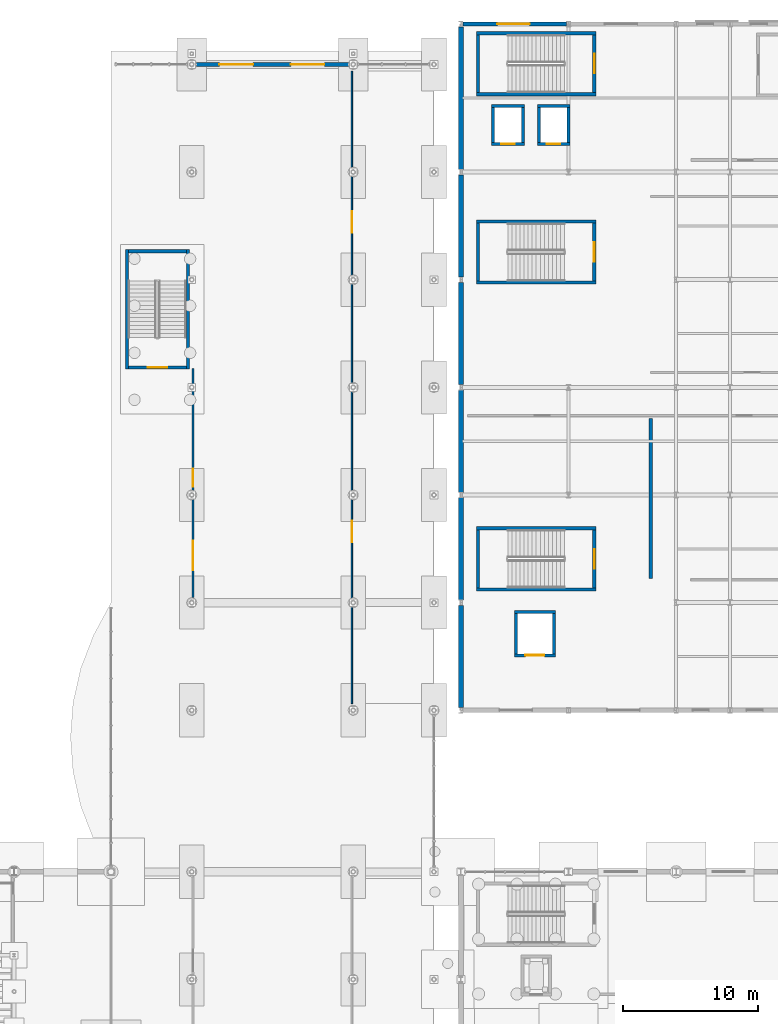
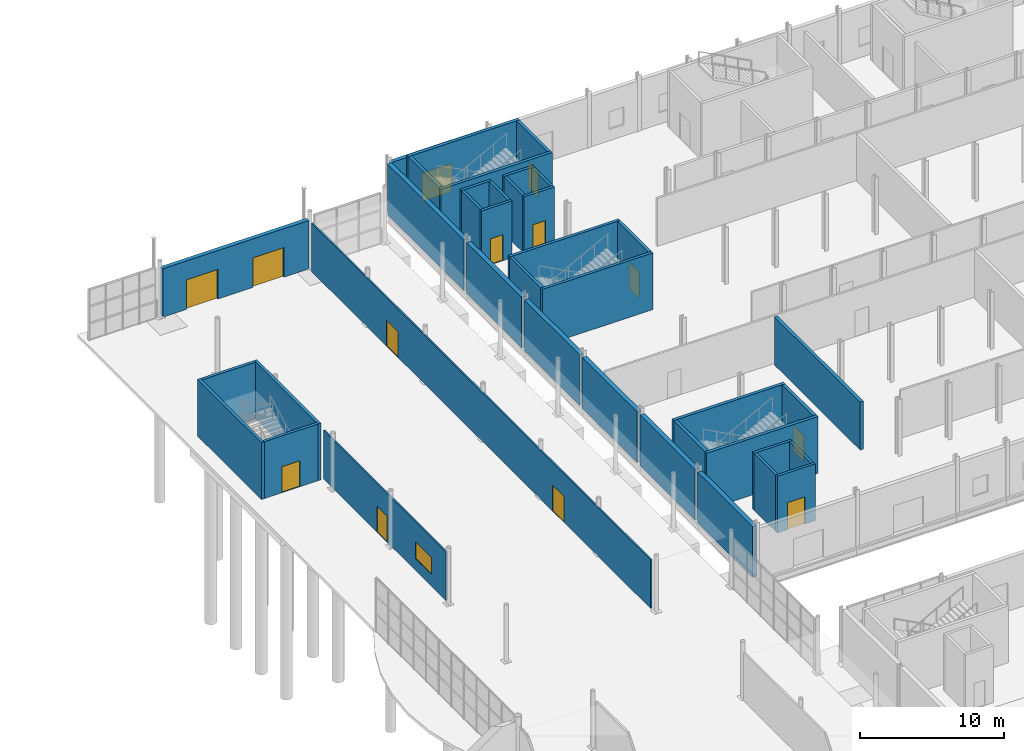
# One storey, part 79 of 101: 39 walls, 13 doors, 1 window, 14 openings.
"""IFC4 building model written with IfcOpenShell, lengths in metres."""

from ifc_helpers import new_model, si_unit, derived_unit, direction, frame, frame_2d, origin, place, context, subcontext, project, spatial, rectangle, extrude, material, layer, layer_set, type_object, element, fill, save


model = new_model("IFC4")

# Units and contexts
model_context = context("Model", 3, precision=1e-05, world=origin(), true_north=direction((0.0, 1.0)))
body_context = subcontext(model_context, "Body", "Model", "MODEL_VIEW")
ifc_project = project(units=[si_unit("LENGTHUNIT", "METRE"), si_unit("AREAUNIT", "SQUARE_METRE"), si_unit("VOLUMEUNIT", "CUBIC_METRE"), si_unit("PLANEANGLEUNIT", "RADIAN"), si_unit("MASSUNIT", "GRAM", prefix="KILO"), derived_unit("THERMALTRANSMITTANCEUNIT", [(si_unit("POWERUNIT", "WATT"), 1), (si_unit("LENGTHUNIT", "METRE"), -2), (si_unit("THERMODYNAMICTEMPERATUREUNIT", "KELVIN"), -1)])], contexts=[model_context])

# Site, building, storey
site_placement = place(None, origin())
site = spatial("IfcSite", under=ifc_project, at=site_placement, CompositionType="ELEMENT")
building_placement = place(site_placement, origin())
building = spatial("IfcBuilding", under=site, at=building_placement, Name="Keldorne Ridge Multi-Sports Centre", CompositionType="ELEMENT")
storey_placement = place(building_placement, origin())
storey = spatial("IfcBuildingStorey", under=building, at=storey_placement, Name="L00", CompositionType="ELEMENT", Elevation=0.0)

# Wall
ifc_material_1 = material(Name="Moisture-resistant twin plumbing wall")
ifc_layer_1 = layer(ifc_material_1, 0.260009765625)
ifc_layer_set_1 = layer_set([ifc_layer_1])
wall_type_1 = type_object("IfcWallType", Name="WAL-PL-02", PredefinedType="PLUMBINGWALL", material=ifc_layer_set_1)
wall_1_placement = place(storey_placement, frame((118.10009765625, 75.800048828125, 0.0), z_axis=(0.0, 0.0, 1.0), x_axis=(0.0, 1.0, 0.0)))
element("IfcWall", 1, at=wall_1_placement, inside=storey, type_object=wall_type_1, Name="Team changing plumbing wall IW-L00-032", PredefinedType="PLUMBINGWALL", context=body_context, shape_type="SweptSolid", body=[
    extrude(rectangle(XDim=11.89990234375, YDim=0.260009765625, at=frame_2d((5.949951171875, 0.0))), origin(), (0.0, 0.0, 1.0), 4.050048828125),
])

# Wall, openings, doors
ifc_material_2 = material(Name="Precast concrete C40/50", Category="concrete")
ifc_layer_2 = layer(ifc_material_2, 0.320068359375)
ifc_layer_set_2 = layer_set([ifc_layer_2], Name="Precast concrete C40/50")
wall_type_2 = type_object("IfcWallType", Name="WAL-PR-W1", PredefinedType="STANDARD", material=ifc_layer_set_2)
wall_2_placement = place(storey_placement, frame((95.836181640625, 114.0, 0.0), z_axis=(0.0, 0.0, 1.0), x_axis=(-1.0, 0.0, 0.0)))
wall_2 = element("IfcWall", 2, at=wall_2_placement, inside=storey, type_object=wall_type_2, Name="Public Passage N entrance portal", PredefinedType="STANDARD", context=body_context, shape_type="SweptSolid", body=[
    extrude(rectangle(XDim=11.67236328125, YDim=0.320068359375, at=frame_2d((5.836181640625, 0.0))), origin(), (0.0, 0.0, 1.0), 4.10498046875),
])
opening_1_placement = place(wall_2_placement, frame((1.97607421875, 0.0, 0.0)))
opening_1 = element("IfcOpeningElement", 3, at=opening_1_placement, cuts=wall_2, Name="Opening ED-02", PredefinedType="OPENING", context=body_context, shape_type="SweptSolid", body=[
    extrude(rectangle(XDim=2.5, YDim=2.5, at=frame_2d((1.25, 1.25))), frame((0.0, 0.169921875, 0.0), z_axis=(0.0, -1.0, 0.0), x_axis=(1.0, 0.0, 0.0)), (0.0, 0.0, 1.0), 0.340087890625),
])
opening_2_placement = place(wall_2_placement, frame((7.276123046875, 0.0, 0.0)))
opening_2 = element("IfcOpeningElement", 4, at=opening_2_placement, cuts=wall_2, Name="Opening ED-02", PredefinedType="OPENING", context=body_context, shape_type="SweptSolid", body=[
    extrude(rectangle(XDim=2.5, YDim=2.5, at=frame_2d((1.25, 1.25))), frame((0.0, 0.169921875, 0.0), z_axis=(0.0, -1.0, 0.0), x_axis=(1.0, 0.0, 0.0)), (0.0, 0.0, 1.0), 0.340087890625),
])
ifc_material_3 = material(Name="Galvanized steel", Category="steel")
door_type_1 = type_object("IfcDoorType", Name="DR-ED-02", OperationType="NOTDEFINED", PredefinedType="DOOR", material=ifc_material_3)
door_1_placement = place(opening_1_placement, origin())
door_1 = element("IfcDoor", 5, at=door_1_placement, inside=storey, type_object=door_type_1, Name="Public Passage N portal west double entrance", OperationType="DOUBLE_DOOR_SINGLE_SWING", OverallHeight=2.5, OverallWidth=2.5, PredefinedType="DOOR", context=body_context, shape_type="SweptSolid", body=[
    extrude(rectangle(XDim=2.5, YDim=2.5, at=frame_2d((1.25, 1.25))), frame((0.0, 0.02490234375, 0.0), z_axis=(0.0, -1.0, 0.0), x_axis=(1.0, 0.0, 0.0)), (0.0, 0.0, 1.0), 0.050048828125),
])
fill(opening_1, door_1)
door_2_placement = place(opening_2_placement, origin())
door_2 = element("IfcDoor", 6, at=door_2_placement, inside=storey, type_object=door_type_1, Name="Public Passage N portal east double entrance", OperationType="DOUBLE_DOOR_SINGLE_SWING", OverallHeight=2.5, OverallWidth=2.5, PredefinedType="DOOR", context=body_context, shape_type="SweptSolid", body=[
    extrude(rectangle(XDim=2.5, YDim=2.5, at=frame_2d((1.25, 1.25))), frame((0.0, 0.02490234375, 0.0), z_axis=(0.0, -1.0, 0.0), x_axis=(1.0, 0.0, 0.0)), (0.0, 0.0, 1.0), 0.050048828125),
])
fill(opening_2, door_2)

# Wall, opening, door
wall_3_placement = place(storey_placement, frame((111.847900390625, 117.0, 0.0), z_axis=(0.0, 0.0, 1.0), x_axis=(-1.0, 0.0, 0.0)))
wall_3 = element("IfcWall", 7, at=wall_3_placement, inside=storey, type_object=wall_type_2, Name="East Wing L00 north facade 1", PredefinedType="STANDARD", context=body_context, shape_type="SweptSolid", body=[
    extrude(rectangle(XDim=7.69580078125, YDim=0.320068359375, at=frame_2d((3.847900390625, 0.0))), origin(), (0.0, 0.0, 1.0), 4.2548828125),
])
opening_3_placement = place(wall_3_placement, frame((2.738037109375, 0.0, 0.0)))
opening_3 = element("IfcOpeningElement", 8, at=opening_3_placement, cuts=wall_3, Name="Opening ED-01", PredefinedType="OPENING", context=body_context, shape_type="SweptSolid", body=[
    extrude(rectangle(XDim=2.39990234375, YDim=2.39990234375, at=frame_2d((1.199951171875, 1.199951171875))), frame((0.0, 0.169921875, 0.0), z_axis=(0.0, -1.0, 0.0), x_axis=(1.0, 0.0, 0.0)), (0.0, 0.0, 1.0), 0.340087890625),
])
ifc_material_4 = material(Name="Anodized aluminium", Category="aluminium")
door_type_2 = type_object("IfcDoorType", Name="DR-ED-01", OperationType="NOTDEFINED", PredefinedType="DOOR", material=ifc_material_4)
door_3_placement = place(opening_3_placement, origin())
door_3 = element("IfcDoor", 9, at=door_3_placement, inside=storey, type_object=door_type_2, Name="East Wing north exit door 1", OperationType="DOUBLE_DOOR_SINGLE_SWING", OverallHeight=2.39990234375, OverallWidth=2.39990234375, PredefinedType="DOOR", context=body_context, shape_type="SweptSolid", body=[
    extrude(rectangle(XDim=2.39990234375, YDim=2.39990234375, at=frame_2d((1.199951171875, 1.199951171875))), frame((0.0, 0.02490234375, 0.0), z_axis=(0.0, -1.0, 0.0), x_axis=(1.0, 0.0, 0.0)), (0.0, 0.0, 1.0), 0.050048828125),
])
fill(opening_3, door_3)

# Walls
ifc_layer_3 = layer(ifc_material_2, 0.360107421875)
ifc_layer_set_3 = layer_set([ifc_layer_3], Name="Precast concrete C40/50")
wall_type_3 = type_object("IfcWallType", Name="WAL-PR-W2", PredefinedType="STANDARD", material=ifc_layer_set_3)
for number, where, z_axis, x_axis, name in (
    (10, (104.0, 73.798095703125, 0.0), (0.0, 0.0, 1.0), (0.0, -1.0, 0.0), "East Wing movement-joint wall L00.1"),
    (11, (104.0, 81.798095703125, 0.0), (0.0, 0.0, 1.0), (0.0, -1.0, 0.0), "East Wing movement-joint wall L00.2"),
    (12, (104.0, 89.798095703125, 0.0), (0.0, 0.0, 1.0), (0.0, -1.0, 0.0), "East Wing movement-joint wall L00.3"),
    (13, (104.0, 97.798095703125, 0.0), (0.0, 0.0, 1.0), (0.0, -1.0, 0.0), "East Wing movement-joint wall L00.4"),
    (14, (104.0, 105.798095703125, 0.0), (0.0, 0.0, 1.0), (0.0, -1.0, 0.0), "East Wing movement-joint wall L00.5"),
):
    element("IfcWall", number, at=place(storey_placement, frame(where, z_axis=z_axis, x_axis=x_axis)), inside=storey, type_object=wall_type_3, Name=name, PredefinedType="STANDARD", context=body_context, shape_type="SweptSolid", body=[
        extrude(rectangle(XDim=7.59619140625, YDim=0.360107421875, at=frame_2d((3.798095703125, 0.0))), origin(), (0.0, 0.0, 1.0), 4.300048828125),
    ])
wall_4_placement = place(storey_placement, frame((104.0, 116.798095703125, 0.0), z_axis=(0.0, 0.0, 1.0), x_axis=(0.0, -1.0, 0.0)))
element("IfcWall", 15, at=wall_4_placement, inside=storey, type_object=wall_type_3, Name="East Wing movement-joint wall L00.6", PredefinedType="STANDARD", context=body_context, shape_type="SweptSolid", body=[
    extrude(rectangle(XDim=10.59619140625, YDim=0.360107421875, at=frame_2d((5.298095703125, 0.0))), origin(), (0.0, 0.0, 1.0), 4.300048828125),
])

# Wall, openings, door, window
ifc_material_5 = material(Name="Acoustic metal stud plasterboard")
ifc_layer_4 = layer(ifc_material_5, 0.125)
ifc_layer_set_4 = layer_set([ifc_layer_4])
wall_type_4 = type_object("IfcWallType", Name="WAL-PT-01", PredefinedType="PARTITIONING", material=ifc_layer_set_4)
wall_5_placement = place(storey_placement, frame((84.10009765625, 74.39990234375, 0.0), z_axis=(0.0, 0.0, 1.0), x_axis=(0.0, 1.0, 0.0)))
wall_5 = element("IfcWall", 16, at=wall_5_placement, inside=storey, type_object=wall_type_4, Name="Sports Shop passage wall IW-L00-019", PredefinedType="PARTITIONING", context=body_context, shape_type="SweptSolid", body=[
    extrude(rectangle(XDim=17.0, YDim=0.125, at=frame_2d((8.5, 0.0))), origin(), (0.0, 0.0, 1.0), 4.10009765625),
])
opening_4_placement = place(wall_5_placement, frame((8.199951171875, 0.0, 0.0)))
opening_4 = element("IfcOpeningElement", 17, at=opening_4_placement, cuts=wall_5, Name="Opening D-09", PredefinedType="OPENING", context=body_context, shape_type="SweptSolid", body=[
    extrude(rectangle(XDim=1.35009765625, YDim=2.199951171875, at=frame_2d((0.675048828125, 1.10009765625))), frame((0.0, 0.072509765625, 0.0), z_axis=(0.0, -1.0, 0.0), x_axis=(1.0, 0.0, 0.0)), (0.0, 0.0, 1.0), 0.14501953125),
])
opening_5_placement = place(wall_5_placement, frame((2.0, 0.0, 1.0)))
opening_5 = element("IfcOpeningElement", 18, at=opening_5_placement, cuts=wall_5, Name="Opening IW-01", PredefinedType="OPENING", context=body_context, shape_type="SweptSolid", body=[
    extrude(rectangle(XDim=2.199951171875, YDim=1.39990234375, at=frame_2d((1.10009765625, 0.699951171875))), frame((0.0, 0.072509765625, 0.0), z_axis=(0.0, -1.0, 0.0), x_axis=(1.0, 0.0, 0.0)), (0.0, 0.0, 1.0), 0.14501953125),
])
ifc_material_6 = material(Name="Timber acoustic pair", Category="wood")
door_type_3 = type_object("IfcDoorType", Name="DR-D-09", OperationType="NOTDEFINED", PredefinedType="DOOR", material=ifc_material_6)
door_4_placement = place(opening_4_placement, origin())
door_4 = element("IfcDoor", 19, at=door_4_placement, inside=storey, type_object=door_type_3, Name="Sports Shop double entrance D-076", OperationType="DOUBLE_DOOR_SINGLE_SWING", OverallHeight=2.199951171875, OverallWidth=1.35009765625, PredefinedType="DOOR", context=body_context, shape_type="SweptSolid", body=[
    extrude(rectangle(XDim=1.35009765625, YDim=2.199951171875, at=frame_2d((0.675048828125, 1.10009765625))), frame((0.0, 0.02490234375, 0.0), z_axis=(0.0, -1.0, 0.0), x_axis=(1.0, 0.0, 0.0)), (0.0, 0.0, 1.0), 0.050048828125),
])
fill(opening_4, door_4)
window_type = type_object("IfcWindowType", Name="WIN-IW-01", PartitioningType="SINGLE_PANEL", PredefinedType="WINDOW", material=ifc_material_4)
window_placement = place(opening_5_placement, origin())
window = element("IfcWindow", 20, at=window_placement, inside=storey, type_object=window_type, Name="Internal viewing window", OverallHeight=1.39990234375, OverallWidth=2.199951171875, PartitioningType="SINGLE_PANEL", PredefinedType="WINDOW", context=body_context, shape_type="SweptSolid", body=[
    extrude(rectangle(XDim=2.199951171875, YDim=1.39990234375, at=frame_2d((1.10009765625, 0.699951171875))), frame((0.0, 0.030029296875, 0.0), z_axis=(0.0, -1.0, 0.0), x_axis=(1.0, 0.0, 0.0)), (0.0, 0.0, 1.0), 0.06005859375),
])
fill(opening_5, window)

# Wall, openings, doors
wall_6_placement = place(storey_placement, frame((95.89990234375, 66.5, 0.0), z_axis=(0.0, 0.0, 1.0), x_axis=(0.0, 1.0, 0.0)))
wall_6 = element("IfcWall", 21, at=wall_6_placement, inside=storey, type_object=wall_type_4, Name="North Entrance Foyer wall IW-L00-020", PredefinedType="PARTITIONING", context=body_context, shape_type="SweptSolid", body=[
    extrude(rectangle(XDim=47.0, YDim=0.125, at=frame_2d((23.5, 0.0))), origin(), (0.0, 0.0, 1.0), 4.10009765625),
])
opening_6_placement = place(wall_6_placement, frame((12.0, 0.0, 0.0)))
opening_6 = element("IfcOpeningElement", 22, at=opening_6_placement, cuts=wall_6, Name="Opening D-04", PredefinedType="OPENING", context=body_context, shape_type="SweptSolid", body=[
    extrude(rectangle(XDim=1.60009765625, YDim=2.199951171875, at=frame_2d((0.800048828125, 1.10009765625))), frame((0.0, 0.072509765625, 0.0), z_axis=(0.0, -1.0, 0.0), x_axis=(1.0, 0.0, 0.0)), (0.0, 0.0, 1.0), 0.14501953125),
])
opening_7_placement = place(wall_6_placement, frame((35.0, 0.0, 0.0)))
opening_7 = element("IfcOpeningElement", 23, at=opening_7_placement, cuts=wall_6, Name="Opening D-04", PredefinedType="OPENING", context=body_context, shape_type="SweptSolid", body=[
    extrude(rectangle(XDim=1.60009765625, YDim=2.199951171875, at=frame_2d((0.800048828125, 1.10009765625))), frame((0.0, 0.072509765625, 0.0), z_axis=(0.0, -1.0, 0.0), x_axis=(1.0, 0.0, 0.0)), (0.0, 0.0, 1.0), 0.14501953125),
])
ifc_material_7 = material(Name="Timber fire-resisting pair", Category="wood")
door_type_4 = type_object("IfcDoorType", Name="DR-D-04", OperationType="NOTDEFINED", PredefinedType="DOOR", material=ifc_material_7)
door_5_placement = place(opening_6_placement, origin())
door_5 = element("IfcDoor", 24, at=door_5_placement, inside=storey, type_object=door_type_4, Name="North Foyer south door D-077", OperationType="DOUBLE_DOOR_SINGLE_SWING", OverallHeight=2.199951171875, OverallWidth=1.60009765625, PredefinedType="DOOR", context=body_context, shape_type="SweptSolid", body=[
    extrude(rectangle(XDim=1.60009765625, YDim=2.199951171875, at=frame_2d((0.800048828125, 1.10009765625))), frame((0.0, 0.02490234375, 0.0), z_axis=(0.0, -1.0, 0.0), x_axis=(1.0, 0.0, 0.0)), (0.0, 0.0, 1.0), 0.050048828125),
])
fill(opening_6, door_5)
door_6_placement = place(opening_7_placement, origin())
door_6 = element("IfcDoor", 25, at=door_6_placement, inside=storey, type_object=door_type_4, Name="North Foyer north door D-078", OperationType="DOUBLE_DOOR_SINGLE_SWING", OverallHeight=2.199951171875, OverallWidth=1.60009765625, PredefinedType="DOOR", context=body_context, shape_type="SweptSolid", body=[
    extrude(rectangle(XDim=1.60009765625, YDim=2.199951171875, at=frame_2d((0.800048828125, 1.10009765625))), frame((0.0, 0.02490234375, 0.0), z_axis=(0.0, -1.0, 0.0), x_axis=(1.0, 0.0, 0.0)), (0.0, 0.0, 1.0), 0.050048828125),
])
fill(opening_7, door_6)

# Wall, opening, door
ifc_material_8 = material(Name="Concrete C40/50", Category="concrete")
ifc_layer_5 = layer(ifc_material_8, 0.25)
ifc_layer_set_5 = layer_set([ifc_layer_5], Name="Concrete C40/50")
wall_type_5 = type_object("IfcWallType", Name="WAL-SW01", PredefinedType="SHEAR", material=ifc_layer_set_5)
wall_7_placement = place(storey_placement, frame((113.925048828125, 111.89990234375, 0.0), z_axis=(0.0, 0.0, 1.0), x_axis=(0.0, 1.0, 0.0)))
wall_7 = element("IfcWall", 26, at=wall_7_placement, inside=storey, type_object=wall_type_5, Name="Stair ST-01 shaft wall L00 NEAR", PredefinedType="SHEAR", context=body_context, shape_type="SweptSolid", body=[
    extrude(rectangle(XDim=4.300048828125, YDim=0.25, at=frame_2d((2.14990234375, 0.0))), origin(), (0.0, 0.0, 1.0), 4.800048828125),
])
opening_8_placement = place(wall_7_placement, frame((1.425048828125, 0.0, 0.0)))
opening_8 = element("IfcOpeningElement", 27, at=opening_8_placement, cuts=wall_7, Name="Opening D-05", PredefinedType="OPENING", context=body_context, shape_type="SweptSolid", body=[
    extrude(rectangle(XDim=1.449951171875, YDim=2.199951171875, at=frame_2d((0.72509765625, 1.10009765625))), frame((0.0, 0.135009765625, 0.0), z_axis=(0.0, -1.0, 0.0), x_axis=(1.0, 0.0, 0.0)), (0.0, 0.0, 1.0), 0.27001953125),
])
ifc_material_9 = material(Name="Steel fire-resisting pair", Category="steel")
door_type_5 = type_object("IfcDoorType", Name="DR-D-05", OperationType="NOTDEFINED", PredefinedType="DOOR", material=ifc_material_9)
door_7_placement = place(opening_8_placement, origin())
door_7 = element("IfcDoor", 28, at=door_7_placement, inside=storey, type_object=door_type_5, Name="Stair ST-01 L00 fire door D-002", OperationType="DOUBLE_DOOR_SINGLE_SWING", OverallHeight=2.199951171875, OverallWidth=1.449951171875, PredefinedType="DOOR", context=body_context, shape_type="SweptSolid", body=[
    extrude(rectangle(XDim=1.449951171875, YDim=2.199951171875, at=frame_2d((0.72509765625, 1.10009765625))), frame((0.0, 0.02490234375, 0.0), z_axis=(0.0, -1.0, 0.0), x_axis=(1.0, 0.0, 0.0)), (0.0, 0.0, 1.0), 0.050048828125),
])
fill(opening_8, door_7)

# Walls
wall_8_placement = place(storey_placement, frame((105.27490234375, 116.199951171875, 0.0), z_axis=(0.0, 0.0, 1.0), x_axis=(0.0, -1.0, 0.0)))
element("IfcWall", 29, at=wall_8_placement, inside=storey, type_object=wall_type_5, Name="Stair ST-01 shaft wall L00 FAR", PredefinedType="SHEAR", context=body_context, shape_type="SweptSolid", body=[
    extrude(rectangle(XDim=4.300048828125, YDim=0.25, at=frame_2d((2.14990234375, 0.0))), origin(), (0.0, 0.0, 1.0), 4.800048828125),
])
for number, where, z_axis, x_axis, name in (
    (30, (105.14990234375, 111.77490234375, 0.0), (0.0, 0.0, 1.0), (1.0, 0.0, 0.0), "Stair ST-01 shaft wall L00 SOUTH"),
    (31, (114.050048828125, 116.324951171875, 0.0), (0.0, 0.0, 1.0), (-1.0, 0.0, 0.0), "Stair ST-01 shaft wall L00 NORTH"),
):
    element("IfcWall", number, at=place(storey_placement, frame(where, z_axis=z_axis, x_axis=x_axis)), inside=storey, type_object=wall_type_5, Name=name, PredefinedType="SHEAR", context=body_context, shape_type="SweptSolid", body=[
        extrude(rectangle(XDim=8.900146484375, YDim=0.25, at=frame_2d((4.4501953125, 0.0))), origin(), (0.0, 0.0, 1.0), 4.800048828125),
    ])

# Wall, opening, door
wall_9_placement = place(storey_placement, frame((113.925048828125, 75.10009765625, 0.0), z_axis=(0.0, 0.0, 1.0), x_axis=(0.0, 1.0, 0.0)))
wall_9 = element("IfcWall", 32, at=wall_9_placement, inside=storey, type_object=wall_type_5, Name="Stair ST-02 shaft wall L00 NEAR", PredefinedType="SHEAR", context=body_context, shape_type="SweptSolid", body=[
    extrude(rectangle(XDim=4.2998046875, YDim=0.25, at=frame_2d((2.14990234375, 0.0))), origin(), (0.0, 0.0, 1.0), 4.800048828125),
])
opening_9_placement = place(wall_9_placement, frame((1.425048828125, 0.0, 0.0)))
opening_9 = element("IfcOpeningElement", 33, at=opening_9_placement, cuts=wall_9, Name="Opening D-05", PredefinedType="OPENING", context=body_context, shape_type="SweptSolid", body=[
    extrude(rectangle(XDim=1.449951171875, YDim=2.199951171875, at=frame_2d((0.72509765625, 1.10009765625))), frame((0.0, 0.135009765625, 0.0), z_axis=(0.0, -1.0, 0.0), x_axis=(1.0, 0.0, 0.0)), (0.0, 0.0, 1.0), 0.27001953125),
])
door_8_placement = place(opening_9_placement, origin())
door_8 = element("IfcDoor", 34, at=door_8_placement, inside=storey, type_object=door_type_5, Name="Stair ST-02 L00 fire door D-009", OperationType="DOUBLE_DOOR_SINGLE_SWING", OverallHeight=2.199951171875, OverallWidth=1.449951171875, PredefinedType="DOOR", context=body_context, shape_type="SweptSolid", body=[
    extrude(rectangle(XDim=1.449951171875, YDim=2.199951171875, at=frame_2d((0.72509765625, 1.10009765625))), frame((0.0, 0.02490234375, 0.0), z_axis=(0.0, -1.0, 0.0), x_axis=(1.0, 0.0, 0.0)), (0.0, 0.0, 1.0), 0.050048828125),
])
fill(opening_9, door_8)

# Walls
wall_10_placement = place(storey_placement, frame((105.27490234375, 79.39990234375, 0.0), z_axis=(0.0, 0.0, 1.0), x_axis=(0.0, -1.0, 0.0)))
element("IfcWall", 35, at=wall_10_placement, inside=storey, type_object=wall_type_5, Name="Stair ST-02 shaft wall L00 FAR", PredefinedType="SHEAR", context=body_context, shape_type="SweptSolid", body=[
    extrude(rectangle(XDim=4.2998046875, YDim=0.25, at=frame_2d((2.14990234375, 0.0))), origin(), (0.0, 0.0, 1.0), 4.800048828125),
])
for number, where, z_axis, x_axis, name in (
    (36, (105.14990234375, 74.97509765625, 0.0), (0.0, 0.0, 1.0), (1.0, 0.0, 0.0), "Stair ST-02 shaft wall L00 SOUTH"),
    (37, (114.050048828125, 79.52490234375, 0.0), (0.0, 0.0, 1.0), (-1.0, 0.0, 0.0), "Stair ST-02 shaft wall L00 NORTH"),
):
    element("IfcWall", number, at=place(storey_placement, frame(where, z_axis=z_axis, x_axis=x_axis)), inside=storey, type_object=wall_type_5, Name=name, PredefinedType="SHEAR", context=body_context, shape_type="SweptSolid", body=[
        extrude(rectangle(XDim=8.900146484375, YDim=0.25, at=frame_2d((4.4501953125, 0.0))), origin(), (0.0, 0.0, 1.0), 4.800048828125),
    ])

# Wall, opening, door
ifc_layer_6 = layer(ifc_material_8, 0.22998046875)
ifc_layer_set_6 = layer_set([ifc_layer_6], Name="Concrete C40/50")
wall_type_6 = type_object("IfcWallType", Name="WAL-SW02", PredefinedType="SHEAR", material=ifc_layer_set_6)
wall_11_placement = place(storey_placement, frame((106.280029296875, 108.090087890625, 0.0), z_axis=(0.0, 0.0, 1.0), x_axis=(1.0, 0.0, 0.0)))
wall_11 = element("IfcWall", 38, at=wall_11_placement, inside=storey, type_object=wall_type_6, Name="Lift L-01 shaft wall L00 south", PredefinedType="SHEAR", context=body_context, shape_type="SweptSolid", body=[
    extrude(rectangle(XDim=2.43994140625, YDim=0.219970703125, at=frame_2d((1.219970703125, 0.0))), origin(), (0.0, 0.0, 1.0), 4.800048828125),
])
opening_10_placement = place(wall_11_placement, frame((0.719970703125, 0.0, 0.0)))
opening_10 = element("IfcOpeningElement", 39, at=opening_10_placement, cuts=wall_11, Name="Opening LD-01", PredefinedType="OPENING", context=body_context, shape_type="SweptSolid", body=[
    extrude(rectangle(XDim=1.0, YDim=2.199951171875, at=frame_2d((0.5, 1.10009765625))), frame((0.0, 0.1201171875, 0.0), z_axis=(0.0, -1.0, 0.0), x_axis=(1.0, 0.0, 0.0)), (0.0, 0.0, 1.0), 0.239990234375),
])
ifc_material_10 = material(Name="Stainless steel", Category="steel")
door_type_6 = type_object("IfcDoorType", Name="DR-LD-01", OperationType="NOTDEFINED", PredefinedType="DOOR", material=ifc_material_10)
door_9_placement = place(opening_10_placement, origin())
door_9 = element("IfcDoor", 40, at=door_9_placement, inside=storey, type_object=door_type_6, Name="Lift L-01 sliding landing door L00", OperationType="SLIDING_TO_LEFT", OverallHeight=2.199951171875, OverallWidth=1.0, PredefinedType="DOOR", context=body_context, shape_type="SweptSolid", body=[
    extrude(rectangle(XDim=1.0, YDim=2.199951171875, at=frame_2d((0.5, 1.10009765625))), frame((0.0, 0.02490234375, 0.0), z_axis=(0.0, -1.0, 0.0), x_axis=(1.0, 0.0, 0.0)), (0.0, 0.0, 1.0), 0.050048828125),
])
fill(opening_10, door_9)

# Walls
wall_12_placement = place(storey_placement, frame((108.719970703125, 110.909912109375, 0.0), z_axis=(0.0, 0.0, 1.0), x_axis=(-1.0, 0.0, 0.0)))
element("IfcWall", 41, at=wall_12_placement, inside=storey, type_object=wall_type_6, Name="Lift L-01 shaft wall L00 north", PredefinedType="SHEAR", context=body_context, shape_type="SweptSolid", body=[
    extrude(rectangle(XDim=2.43994140625, YDim=0.219970703125, at=frame_2d((1.219970703125, 0.0))), origin(), (0.0, 0.0, 1.0), 4.800048828125),
])
for number, where, z_axis, x_axis, name in (
    (42, (106.389892578125, 110.800048828125, 0.0), (0.0, 0.0, 1.0), (0.0, -1.0, 0.0), "Lift L-01 shaft wall L00 west"),
    (43, (108.610107421875, 108.199951171875, 0.0), (0.0, 0.0, 1.0), (0.0, 1.0, 0.0), "Lift L-01 shaft wall L00 east"),
):
    element("IfcWall", number, at=place(storey_placement, frame(where, z_axis=z_axis, x_axis=x_axis)), inside=storey, type_object=wall_type_6, Name=name, PredefinedType="SHEAR", context=body_context, shape_type="SweptSolid", body=[
        extrude(rectangle(XDim=2.60009765625, YDim=0.219970703125, at=frame_2d((1.300048828125, 0.0))), origin(), (0.0, 0.0, 1.0), 4.800048828125),
    ])

# Wall, opening, door
wall_13_placement = place(storey_placement, frame((109.679931640625, 108.090087890625, 0.0), z_axis=(0.0, 0.0, 1.0), x_axis=(1.0, 0.0, 0.0)))
wall_13 = element("IfcWall", 44, at=wall_13_placement, inside=storey, type_object=wall_type_6, Name="Lift L-02 shaft wall L00 south", PredefinedType="SHEAR", context=body_context, shape_type="SweptSolid", body=[
    extrude(rectangle(XDim=2.440185546875, YDim=0.219970703125, at=frame_2d((1.22021484375, 0.0))), origin(), (0.0, 0.0, 1.0), 4.800048828125),
])
opening_11_placement = place(wall_13_placement, frame((0.719970703125, 0.0, 0.0)))
opening_11 = element("IfcOpeningElement", 45, at=opening_11_placement, cuts=wall_13, Name="Opening LD-01", PredefinedType="OPENING", context=body_context, shape_type="SweptSolid", body=[
    extrude(rectangle(XDim=1.0, YDim=2.199951171875, at=frame_2d((0.5, 1.10009765625))), frame((0.0, 0.1201171875, 0.0), z_axis=(0.0, -1.0, 0.0), x_axis=(1.0, 0.0, 0.0)), (0.0, 0.0, 1.0), 0.239990234375),
])
door_10_placement = place(opening_11_placement, origin())
door_10 = element("IfcDoor", 46, at=door_10_placement, inside=storey, type_object=door_type_6, Name="Lift L-02 sliding landing door L00", OperationType="SLIDING_TO_LEFT", OverallHeight=2.199951171875, OverallWidth=1.0, PredefinedType="DOOR", context=body_context, shape_type="SweptSolid", body=[
    extrude(rectangle(XDim=1.0, YDim=2.199951171875, at=frame_2d((0.5, 1.10009765625))), frame((0.0, 0.02490234375, 0.0), z_axis=(0.0, -1.0, 0.0), x_axis=(1.0, 0.0, 0.0)), (0.0, 0.0, 1.0), 0.050048828125),
])
fill(opening_11, door_10)

# Walls
wall_14_placement = place(storey_placement, frame((112.1201171875, 110.909912109375, 0.0), z_axis=(0.0, 0.0, 1.0), x_axis=(-1.0, 0.0, 0.0)))
element("IfcWall", 47, at=wall_14_placement, inside=storey, type_object=wall_type_6, Name="Lift L-02 shaft wall L00 north", PredefinedType="SHEAR", context=body_context, shape_type="SweptSolid", body=[
    extrude(rectangle(XDim=2.440185546875, YDim=0.219970703125, at=frame_2d((1.22021484375, 0.0))), origin(), (0.0, 0.0, 1.0), 4.800048828125),
])
for number, where, z_axis, x_axis, name in (
    (48, (109.7900390625, 110.800048828125, 0.0), (0.0, 0.0, 1.0), (0.0, -1.0, 0.0), "Lift L-02 shaft wall L00 west"),
    (49, (112.010009765625, 108.199951171875, 0.0), (0.0, 0.0, 1.0), (0.0, 1.0, 0.0), "Lift L-02 shaft wall L00 east"),
):
    element("IfcWall", number, at=place(storey_placement, frame(where, z_axis=z_axis, x_axis=x_axis)), inside=storey, type_object=wall_type_6, Name=name, PredefinedType="SHEAR", context=body_context, shape_type="SweptSolid", body=[
        extrude(rectangle(XDim=2.60009765625, YDim=0.219970703125, at=frame_2d((1.300048828125, 0.0))), origin(), (0.0, 0.0, 1.0), 4.800048828125),
    ])

# Wall, opening, door
wall_15_placement = place(storey_placement, frame((107.97998046875, 70.090087890625, 0.0), z_axis=(0.0, 0.0, 1.0), x_axis=(1.0, 0.0, 0.0)))
wall_15 = element("IfcWall", 50, at=wall_15_placement, inside=storey, type_object=wall_type_6, Name="Lift L-05 shaft wall L00 south", PredefinedType="SHEAR", context=body_context, shape_type="SweptSolid", body=[
    extrude(rectangle(XDim=3.0400390625, YDim=0.219970703125, at=frame_2d((1.52001953125, 0.0))), origin(), (0.0, 0.0, 1.0), 4.800048828125),
])
opening_12_placement = place(wall_15_placement, frame((0.820068359375, 0.0, 0.0)))
opening_12 = element("IfcOpeningElement", 51, at=opening_12_placement, cuts=wall_15, Name="Opening LD-03", PredefinedType="OPENING", context=body_context, shape_type="SweptSolid", body=[
    extrude(rectangle(XDim=1.39990234375, YDim=2.300048828125, at=frame_2d((0.699951171875, 1.14990234375))), frame((0.0, 0.1201171875, 0.0), z_axis=(0.0, -1.0, 0.0), x_axis=(1.0, 0.0, 0.0)), (0.0, 0.0, 1.0), 0.239990234375),
])
door_type_7 = type_object("IfcDoorType", Name="DR-LD-03", OperationType="NOTDEFINED", PredefinedType="DOOR", material=ifc_material_10)
door_11_placement = place(opening_12_placement, origin())
door_11 = element("IfcDoor", 52, at=door_11_placement, inside=storey, type_object=door_type_7, Name="Lift L-05 sliding landing door L00", OperationType="SLIDING_TO_LEFT", OverallHeight=2.300048828125, OverallWidth=1.39990234375, PredefinedType="DOOR", context=body_context, shape_type="SweptSolid", body=[
    extrude(rectangle(XDim=1.39990234375, YDim=2.300048828125, at=frame_2d((0.699951171875, 1.14990234375))), frame((0.0, 0.02490234375, 0.0), z_axis=(0.0, -1.0, 0.0), x_axis=(1.0, 0.0, 0.0)), (0.0, 0.0, 1.0), 0.050048828125),
])
fill(opening_12, door_11)

# Walls
wall_16_placement = place(storey_placement, frame((111.02001953125, 73.31005859375, 0.0), z_axis=(0.0, 0.0, 1.0), x_axis=(-1.0, 0.0, 0.0)))
element("IfcWall", 53, at=wall_16_placement, inside=storey, type_object=wall_type_6, Name="Lift L-05 shaft wall L00 north", PredefinedType="SHEAR", context=body_context, shape_type="SweptSolid", body=[
    extrude(rectangle(XDim=3.0400390625, YDim=0.219970703125, at=frame_2d((1.52001953125, 0.0))), origin(), (0.0, 0.0, 1.0), 4.800048828125),
])
for number, where, z_axis, x_axis, name in (
    (54, (108.090087890625, 73.199951171875, 0.0), (0.0, 0.0, 1.0), (0.0, -1.0, 0.0), "Lift L-05 shaft wall L00 west"),
    (55, (110.909912109375, 70.199951171875, 0.0), (0.0, 0.0, 1.0), (0.0, 1.0, 0.0), "Lift L-05 shaft wall L00 east"),
):
    element("IfcWall", number, at=place(storey_placement, frame(where, z_axis=z_axis, x_axis=x_axis)), inside=storey, type_object=wall_type_6, Name=name, PredefinedType="SHEAR", context=body_context, shape_type="SweptSolid", body=[
        extrude(rectangle(XDim=3.0, YDim=0.219970703125, at=frame_2d((1.5, 0.0))), origin(), (0.0, 0.0, 1.0), 4.800048828125),
    ])

# Wall, opening, door
wall_17_placement = place(storey_placement, frame((79.300048828125, 91.485107421875, 0.0), z_axis=(0.0, 0.0, 1.0), x_axis=(1.0, 0.0, 0.0)))
wall_17 = element("IfcWall", 56, at=wall_17_placement, inside=storey, type_object=wall_type_6, Name="Stair ST-08 shaft wall L00 NEAR", PredefinedType="SHEAR", context=body_context, shape_type="SweptSolid", body=[
    extrude(rectangle(XDim=4.300048828125, YDim=0.22998046875, at=frame_2d((2.14990234375, 0.0))), origin(), (0.0, 0.0, 1.0), 4.800048828125),
])
opening_13_placement = place(wall_17_placement, frame((1.425048828125, 0.0, 0.0)))
opening_13 = element("IfcOpeningElement", 57, at=opening_13_placement, cuts=wall_17, Name="Opening D-05", PredefinedType="OPENING", context=body_context, shape_type="SweptSolid", body=[
    extrude(rectangle(XDim=1.449951171875, YDim=2.199951171875, at=frame_2d((0.72509765625, 1.10009765625))), frame((0.0, 0.125, 0.0), z_axis=(0.0, -1.0, 0.0), x_axis=(1.0, 0.0, 0.0)), (0.0, 0.0, 1.0), 0.25),
])
door_12_placement = place(opening_13_placement, origin())
door_12 = element("IfcDoor", 58, at=door_12_placement, inside=storey, type_object=door_type_5, Name="Stair ST-08 L00 fire door D-034", OperationType="DOUBLE_DOOR_SINGLE_SWING", OverallHeight=2.199951171875, OverallWidth=1.449951171875, PredefinedType="DOOR", context=body_context, shape_type="SweptSolid", body=[
    extrude(rectangle(XDim=1.449951171875, YDim=2.199951171875, at=frame_2d((0.72509765625, 1.10009765625))), frame((0.0, 0.02490234375, 0.0), z_axis=(0.0, -1.0, 0.0), x_axis=(1.0, 0.0, 0.0)), (0.0, 0.0, 1.0), 0.050048828125),
])
fill(opening_13, door_12)

# Walls
wall_18_placement = place(storey_placement, frame((83.60009765625, 100.114990234375, 0.0), z_axis=(0.0, 0.0, 1.0), x_axis=(-1.0, 0.0, 0.0)))
element("IfcWall", 59, at=wall_18_placement, inside=storey, type_object=wall_type_6, Name="Stair ST-08 shaft wall L00 FAR", PredefinedType="SHEAR", context=body_context, shape_type="SweptSolid", body=[
    extrude(rectangle(XDim=4.300048828125, YDim=0.22998046875, at=frame_2d((2.14990234375, 0.0))), origin(), (0.0, 0.0, 1.0), 4.800048828125),
])
for number, where, z_axis, x_axis, name in (
    (60, (79.18505859375, 91.3701171875, 0.0), (0.0, 0.0, 1.0), (0.0, 1.0, 0.0), "Stair ST-08 shaft wall L00 WEST"),
    (61, (83.715087890625, 100.22998046875, 0.0), (0.0, 0.0, 1.0), (0.0, -1.0, 0.0), "Stair ST-08 shaft wall L00 EAST"),
):
    element("IfcWall", number, at=place(storey_placement, frame(where, z_axis=z_axis, x_axis=x_axis)), inside=storey, type_object=wall_type_6, Name=name, PredefinedType="SHEAR", context=body_context, shape_type="SweptSolid", body=[
        extrude(rectangle(XDim=8.85986328125, YDim=0.22998046875, at=frame_2d((4.429931640625, 0.0))), origin(), (0.0, 0.0, 1.0), 4.800048828125),
    ])

# Wall, opening, door
wall_19_placement = place(storey_placement, frame((113.9150390625, 97.89990234375, 0.0), z_axis=(0.0, 0.0, 1.0), x_axis=(0.0, 1.0, 0.0)))
wall_19 = element("IfcWall", 62, at=wall_19_placement, inside=storey, type_object=wall_type_6, Name="Stair ST-11 shaft wall L00 NEAR", PredefinedType="SHEAR", context=body_context, shape_type="SweptSolid", body=[
    extrude(rectangle(XDim=4.300048828125, YDim=0.22998046875, at=frame_2d((2.14990234375, 0.0))), origin(), (0.0, 0.0, 1.0), 4.800048828125),
])
opening_14_placement = place(wall_19_placement, frame((1.425048828125, 0.0, 0.0)))
opening_14 = element("IfcOpeningElement", 63, at=opening_14_placement, cuts=wall_19, Name="Opening D-05", PredefinedType="OPENING", context=body_context, shape_type="SweptSolid", body=[
    extrude(rectangle(XDim=1.449951171875, YDim=2.199951171875, at=frame_2d((0.72509765625, 1.10009765625))), frame((0.0, 0.125, 0.0), z_axis=(0.0, -1.0, 0.0), x_axis=(1.0, 0.0, 0.0)), (0.0, 0.0, 1.0), 0.25),
])
door_13_placement = place(opening_14_placement, origin())
door_13 = element("IfcDoor", 64, at=door_13_placement, inside=storey, type_object=door_type_5, Name="Stair ST-11 L00 fire door D-046", OperationType="DOUBLE_DOOR_SINGLE_SWING", OverallHeight=2.199951171875, OverallWidth=1.449951171875, PredefinedType="DOOR", context=body_context, shape_type="SweptSolid", body=[
    extrude(rectangle(XDim=1.449951171875, YDim=2.199951171875, at=frame_2d((0.72509765625, 1.10009765625))), frame((0.0, 0.02490234375, 0.0), z_axis=(0.0, -1.0, 0.0), x_axis=(1.0, 0.0, 0.0)), (0.0, 0.0, 1.0), 0.050048828125),
])
fill(opening_14, door_13)

# Walls
wall_20_placement = place(storey_placement, frame((105.284912109375, 102.199951171875, 0.0), z_axis=(0.0, 0.0, 1.0), x_axis=(0.0, -1.0, 0.0)))
element("IfcWall", 65, at=wall_20_placement, inside=storey, type_object=wall_type_6, Name="Stair ST-11 shaft wall L00 FAR", PredefinedType="SHEAR", context=body_context, shape_type="SweptSolid", body=[
    extrude(rectangle(XDim=4.300048828125, YDim=0.22998046875, at=frame_2d((2.14990234375, 0.0))), origin(), (0.0, 0.0, 1.0), 4.800048828125),
])
for number, where, z_axis, x_axis, name in (
    (66, (105.169921875, 97.784912109375, 0.0), (0.0, 0.0, 1.0), (1.0, 0.0, 0.0), "Stair ST-11 shaft wall L00 SOUTH"),
    (67, (114.030029296875, 102.31494140625, 0.0), (0.0, 0.0, 1.0), (-1.0, 0.0, 0.0), "Stair ST-11 shaft wall L00 NORTH"),
):
    element("IfcWall", number, at=place(storey_placement, frame(where, z_axis=z_axis, x_axis=x_axis)), inside=storey, type_object=wall_type_6, Name=name, PredefinedType="SHEAR", context=body_context, shape_type="SweptSolid", body=[
        extrude(rectangle(XDim=8.860107421875, YDim=0.22998046875, at=frame_2d((4.43017578125, 0.0))), origin(), (0.0, 0.0, 1.0), 4.800048828125),
    ])

save(model, "model.ifc")
